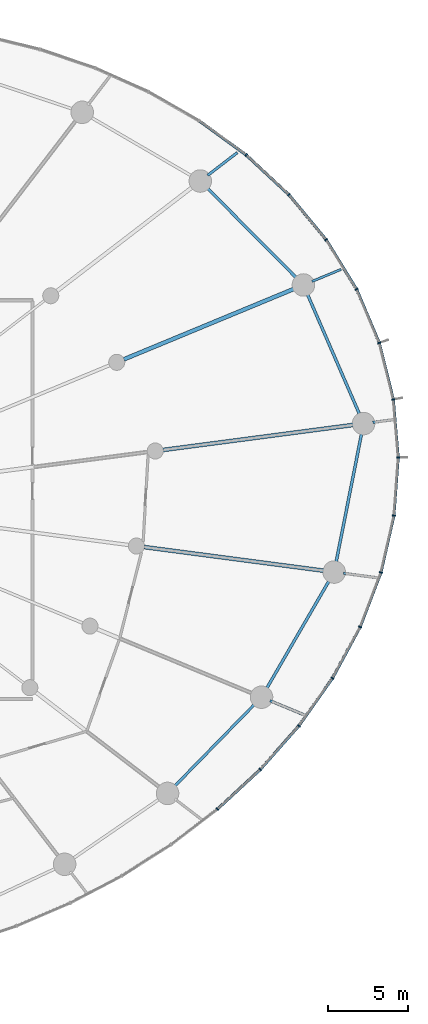
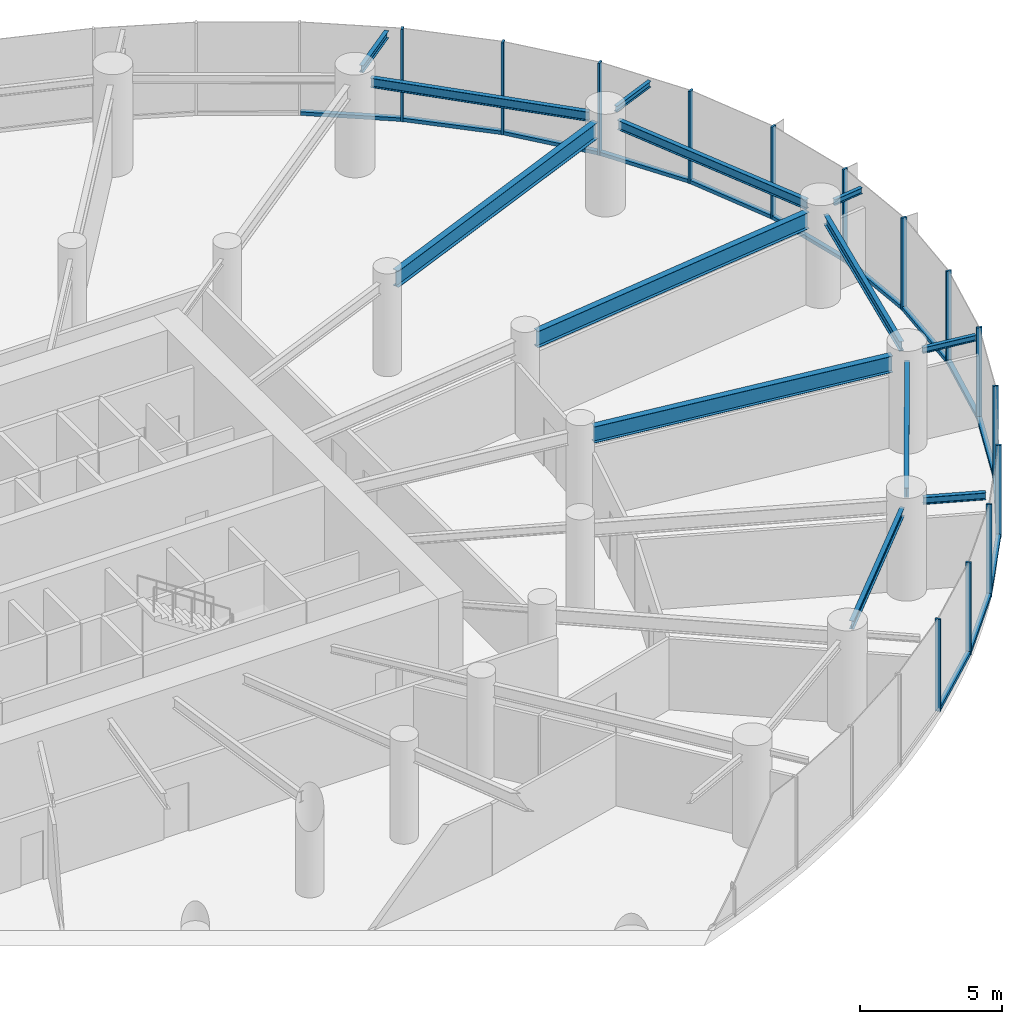
# One storey, part 9 of 19: 28 members, 13 beams, 3 elements without a shape of their own.
"""IFC4 building model written with IfcOpenShell, lengths in metres."""

from ifc_helpers import new_model, si_unit, direction, frame, origin, origin_2d, place, context, subcontext, project, spatial, rectangle, i_section, extrude, source, transform, mapped, material, layer, layer_set, material_profile, profile_set, type_object, element, aggregate, save


model = new_model("IFC4")

# Units and contexts
model_context = context("Model", 3, precision=1e-05, world=origin(), true_north=direction((0.0, 1.0)))
body_context = subcontext(model_context, "Body", "Model", "MODEL_VIEW")
ifc_project = project(units=[si_unit("LENGTHUNIT", "METRE"), si_unit("AREAUNIT", "SQUARE_METRE"), si_unit("VOLUMEUNIT", "CUBIC_METRE"), si_unit("PLANEANGLEUNIT", "RADIAN"), si_unit("MASSUNIT", "GRAM", prefix="KILO")], contexts=[model_context])

# Site, building, storey
site_placement = place(None, origin())
site = spatial("IfcSite", under=ifc_project, at=site_placement, CompositionType="ELEMENT")
building_placement = place(site_placement, origin())
building = spatial("IfcBuilding", under=site, at=building_placement, Name="Spindrift Exchange Tower", CompositionType="ELEMENT")
storey_placement = place(building_placement, frame((0.0, 0.0, 44.60009765625)))
storey = spatial("IfcBuildingStorey", under=building, at=storey_placement, Name="L10", CompositionType="ELEMENT", Elevation=44.60009765625)

# Beams
ifc_material_1 = material(Name="Steel Grade 300", Category="steel")
ifc_material_profile_1 = material_profile(ifc_material_1, i_section(OverallWidth=0.25, OverallDepth=0.699951171875, WebThickness=0.008056640625, FlangeThickness=0.011962890625, at=origin_2d()), Name="700WB115")
ifc_profile_set_1 = profile_set([ifc_material_profile_1], Name="Steel Grade 300")
beam_type_1 = type_object("IfcBeamType", Name="Floor Beam 700WB115 Steel Grade 300", PredefinedType="BEAM", material=ifc_profile_set_1)
shared_shape_1 = source(origin(), body_context, "Body", "SweptSolid", [
    extrude(i_section(OverallWidth=0.25, OverallDepth=0.699951171875, WebThickness=0.008056640625, FlangeThickness=0.011962890625, at=origin_2d()), origin(), (0.0, 0.0, 1.0), 12.00830078125),
])
beam_1_placement = place(storey_placement, frame((75.509765625, 51.09521484375, 3.599853515625), z_axis=(0.991444950947, 0.130525511844, 0.0), x_axis=(-0.130525511844, 0.991444950947, 0.0)))
element("IfcBeam", 1, at=beam_1_placement, inside=storey, type_object=beam_type_1, Name="L10 radial beam R01B", PredefinedType="BEAM", context=body_context, shape_type="MappedRepresentation", body=[
    mapped(shared_shape_1, transform((0.0, 0.0, 0.0), scale=1.0)),
])
shared_shape_2 = source(origin(), body_context, "Body", "SweptSolid", [
    extrude(i_section(OverallWidth=0.25, OverallDepth=0.699951171875, WebThickness=0.008056640625, FlangeThickness=0.011962890625, at=origin_2d()), origin(), (0.0, 0.0, 1.0), 11.505859375),
])
beam_2_placement = place(storey_placement, frame((73.082763671875, 56.73291015625, 3.599853515625), z_axis=(0.923881578419, 0.38267849307, 0.0), x_axis=(-0.38267849307, 0.923881578419, 0.0)))
element("IfcBeam", 2, at=beam_2_placement, inside=storey, type_object=beam_type_1, Name="L10 radial beam R02B", PredefinedType="BEAM", context=body_context, shape_type="MappedRepresentation", body=[
    mapped(shared_shape_2, transform((0.0, 0.0, 0.0), scale=1.0)),
])
shared_shape_3 = source(origin(), body_context, "Body", "SweptSolid", [
    extrude(i_section(OverallWidth=0.25, OverallDepth=0.699951171875, WebThickness=0.008056640625, FlangeThickness=0.011962890625, at=origin_2d()), origin(), (0.0, 0.0, 1.0), 11.34423828125),
])
beam_3_placement = place(storey_placement, frame((74.339111328125, 45.05908203125, 3.599853515625), z_axis=(0.991444770187, -0.130526884848, 0.0), x_axis=(0.130526884848, 0.991444770187, 0.0)))
element("IfcBeam", 3, at=beam_3_placement, inside=storey, type_object=beam_type_1, Name="L10 radial beam R24B", PredefinedType="BEAM", context=body_context, shape_type="MappedRepresentation", body=[
    mapped(shared_shape_3, transform((0.0, 0.0, 0.0), scale=1.0)),
])
ifc_material_profile_2 = material_profile(ifc_material_1, i_section(OverallWidth=0.177978515625, OverallDepth=0.406005859375, WebThickness=0.0078125, FlangeThickness=0.0126953125, FilletRadius=0.013916015625, at=origin_2d()), Name="410UB59.7")
ifc_profile_set_2 = profile_set([ifc_material_profile_2], Name="Steel Grade 300")
beam_type_2 = type_object("IfcBeamType", Name="Edge Beam 410UB59.7 Steel Grade 300", PredefinedType="SPANDREL", material=ifc_profile_set_2)
shared_shape_4 = source(origin(), body_context, "Body", "SweptSolid", [
    extrude(i_section(OverallWidth=0.177978515625, OverallDepth=0.406005859375, WebThickness=0.0078125, FlangeThickness=0.0126953125, FilletRadius=0.013916015625, at=origin_2d()), origin(), (0.0, 0.0, 1.0), 8.23681640625),
])
beam_4_placement = place(storey_placement, frame((87.759521484375, 53.270263671875, 3.746826171875), z_axis=(-0.398186298756, 0.91730456855, 0.0), x_axis=(-0.91730456855, -0.398186298756, 0.0)))
element("IfcBeam", 4, at=beam_4_placement, inside=storey, type_object=beam_type_2, Name="L10 edge beam E01", PredefinedType="SPANDREL", context=body_context, shape_type="MappedRepresentation", body=[
    mapped(shared_shape_4, transform((0.0, 0.0, 0.0), scale=1.0)),
])
shared_shape_5 = source(origin(), body_context, "Body", "SweptSolid", [
    extrude(i_section(OverallWidth=0.177978515625, OverallDepth=0.406005859375, WebThickness=0.0078125, FlangeThickness=0.0126953125, FilletRadius=0.013916015625, at=origin_2d()), origin(), (0.0, 0.0, 1.0), 7.947509765625),
])
beam_5_placement = place(storey_placement, frame((83.840576171875, 61.769775390625, 3.746826171875), z_axis=(-0.704197895271, 0.710003749494, 0.0), x_axis=(-0.710003749494, -0.704197895271, 0.0)))
element("IfcBeam", 5, at=beam_5_placement, inside=storey, type_object=beam_type_2, Name="L10 edge beam E02", PredefinedType="SPANDREL", context=body_context, shape_type="MappedRepresentation", body=[
    mapped(shared_shape_5, transform((0.0, 0.0, 0.0), scale=1.0)),
])
ifc_material_profile_3 = material_profile(ifc_material_1, i_section(OverallWidth=0.172119140625, OverallDepth=0.35888671875, WebThickness=0.008056640625, FlangeThickness=0.012939453125, FilletRadius=0.013916015625, at=origin_2d()), Name="360UB56.7")
ifc_profile_set_3 = profile_set([ifc_material_profile_3], Name="Steel Grade 300")
beam_type_3 = type_object("IfcBeamType", Name="Edge Beam 360UB56.7 Steel Grade 300", PredefinedType="SPANDREL", material=ifc_profile_set_3)
shared_shape_6 = source(origin(), body_context, "Body", "SweptSolid", [
    extrude(i_section(OverallWidth=0.172119140625, OverallDepth=0.35888671875, WebThickness=0.008056640625, FlangeThickness=0.012939453125, FilletRadius=0.013916015625, at=origin_2d()), origin(), (0.0, 0.0, 1.0), 7.2041015625),
])
beam_6_placement = place(storey_placement, frame((76.205810546875, 30.152099609375, 3.7705078125), z_axis=(0.698703626006, 0.715411240481, 0.0), x_axis=(-0.715411240481, 0.698703626006, 0.0)))
element("IfcBeam", 6, at=beam_6_placement, inside=storey, type_object=beam_type_3, Name="L10 edge beam E22", PredefinedType="SPANDREL", context=body_context, shape_type="MappedRepresentation", body=[
    mapped(shared_shape_6, transform((0.0, 0.0, 0.0), scale=1.0)),
])
shared_shape_7 = source(origin(), body_context, "Body", "SweptSolid", [
    extrude(i_section(OverallWidth=0.177978515625, OverallDepth=0.406005859375, WebThickness=0.0078125, FlangeThickness=0.0126953125, FilletRadius=0.013916015625, at=origin_2d()), origin(), (0.0, 0.0, 1.0), 7.837646484375),
])
beam_7_placement = place(storey_placement, frame((81.935791015625, 36.222412109375, 3.746826171875), z_axis=(0.50198145655, 0.864878382942, 0.0), x_axis=(-0.864878382942, 0.50198145655, 0.0)))
element("IfcBeam", 7, at=beam_7_placement, inside=storey, type_object=beam_type_2, Name="L10 edge beam E23", PredefinedType="SPANDREL", context=body_context, shape_type="MappedRepresentation", body=[
    mapped(shared_shape_7, transform((0.0, 0.0, 0.0), scale=1.0)),
])
shared_shape_8 = source(origin(), body_context, "Body", "SweptSolid", [
    extrude(i_section(OverallWidth=0.177978515625, OverallDepth=0.406005859375, WebThickness=0.0078125, FlangeThickness=0.0126953125, FilletRadius=0.013916015625, at=origin_2d()), origin(), (0.0, 0.0, 1.0), 8.2548828125),
])
beam_8_placement = place(storey_placement, frame((86.27392578125, 44.071533203125, 3.746826171875), z_axis=(0.194278723288, 0.9809463684, 0.0), x_axis=(-0.9809463684, 0.194278723288, 0.0)))
element("IfcBeam", 8, at=beam_8_placement, inside=storey, type_object=beam_type_2, Name="L10 edge beam E24", PredefinedType="SPANDREL", context=body_context, shape_type="MappedRepresentation", body=[
    mapped(shared_shape_8, transform((0.0, 0.0, 0.0), scale=1.0)),
])
ifc_material_profile_4 = material_profile(ifc_material_1, i_section(OverallWidth=0.14599609375, OverallDepth=0.251953125, WebThickness=0.006103515625, FlangeThickness=0.008544921875, FilletRadius=0.011962890625, at=origin_2d()), Name="250UB31.4")
ifc_profile_set_4 = profile_set([ifc_material_profile_4], Name="Steel Grade 300")
beam_type_4 = type_object("IfcBeamType", Name="Cantilever Beam 250UB31.4 Steel Grade 300", PredefinedType="BEAM", material=ifc_profile_set_4)
shared_shape_9 = source(origin(), body_context, "Body", "SweptSolid", [
    extrude(i_section(OverallWidth=0.14599609375, OverallDepth=0.251953125, WebThickness=0.006103515625, FlangeThickness=0.008544921875, FilletRadius=0.011962890625, at=origin_2d()), origin(), (0.0, 0.0, 1.0), 1.224365234375),
])
beam_9_placement = place(storey_placement, frame((88.5654296875, 52.81396484375, 3.823974609375), z_axis=(0.991459724463, 0.130413246138, 0.0), x_axis=(-0.130413246138, 0.991459724463, 0.0)))
element("IfcBeam", 9, at=beam_9_placement, inside=storey, type_object=beam_type_4, Name="L10 cantilever beam R01T", PredefinedType="BEAM", context=body_context, shape_type="MappedRepresentation", body=[
    mapped(shared_shape_9, transform((0.0, 0.0, 0.0), scale=1.0)),
])
shared_shape_10 = source(origin(), body_context, "Body", "SweptSolid", [
    extrude(i_section(OverallWidth=0.14599609375, OverallDepth=0.251953125, WebThickness=0.006103515625, FlangeThickness=0.008544921875, FilletRadius=0.011962890625, at=origin_2d()), origin(), (0.0, 0.0, 1.0), 1.96728515625),
])
beam_10_placement = place(storey_placement, frame((84.78466796875, 61.579833984375, 3.823974609375), z_axis=(0.923871633856, 0.382702500848, 0.0), x_axis=(-0.382702500848, 0.923871633856, 0.0)))
element("IfcBeam", 10, at=beam_10_placement, inside=storey, type_object=beam_type_4, Name="L10 cantilever beam R02T", PredefinedType="BEAM", context=body_context, shape_type="MappedRepresentation", body=[
    mapped(shared_shape_10, transform((0.0, 0.0, 0.0), scale=1.0)),
])
ifc_material_profile_5 = material_profile(ifc_material_1, i_section(OverallWidth=0.1650390625, OverallDepth=0.303955078125, WebThickness=0.006103515625, FlangeThickness=0.01025390625, FilletRadius=0.011474609375, at=origin_2d()), Name="310UB40.4")
ifc_profile_set_5 = profile_set([ifc_material_profile_5], Name="Steel Grade 300")
beam_type_5 = type_object("IfcBeamType", Name="Cantilever Beam 310UB40.4 Steel Grade 300", PredefinedType="BEAM", material=ifc_profile_set_5)
shared_shape_11 = source(origin(), body_context, "Body", "SweptSolid", [
    extrude(i_section(OverallWidth=0.1650390625, OverallDepth=0.303955078125, WebThickness=0.006103515625, FlangeThickness=0.01025390625, FilletRadius=0.011474609375, at=origin_2d()), origin(), (0.0, 0.0, 1.0), 2.33251953125),
])
beam_11_placement = place(storey_placement, frame((78.295654296875, 68.177490234375, 3.7978515625), z_axis=(0.793370454613, 0.608739124542, 0.0), x_axis=(-0.608739124542, 0.793370454613, 0.0)))
element("IfcBeam", 11, at=beam_11_placement, inside=storey, type_object=beam_type_5, Name="L10 cantilever beam R03T", PredefinedType="BEAM", context=body_context, shape_type="MappedRepresentation", body=[
    mapped(shared_shape_11, transform((0.0, 0.0, 0.0), scale=1.0)),
])
shared_shape_12 = source(origin(), body_context, "Body", "SweptSolid", [
    extrude(i_section(OverallWidth=0.1650390625, OverallDepth=0.303955078125, WebThickness=0.006103515625, FlangeThickness=0.01025390625, FilletRadius=0.011474609375, at=origin_2d()), origin(), (0.0, 0.0, 1.0), 2.22412109375),
])
beam_12_placement = place(storey_placement, frame((82.180419921875, 35.498779296875, 3.7978515625), z_axis=(0.923896434598, -0.38264262457, 0.0), x_axis=(0.38264262457, 0.923896434598, 0.0)))
element("IfcBeam", 12, at=beam_12_placement, inside=storey, type_object=beam_type_5, Name="L10 cantilever beam R23T", PredefinedType="BEAM", context=body_context, shape_type="MappedRepresentation", body=[
    mapped(shared_shape_12, transform((0.0, 0.0, 0.0), scale=1.0)),
])
shared_shape_13 = source(origin(), body_context, "Body", "SweptSolid", [
    extrude(i_section(OverallWidth=0.14599609375, OverallDepth=0.251953125, WebThickness=0.006103515625, FlangeThickness=0.008544921875, FilletRadius=0.011962890625, at=origin_2d()), origin(), (0.0, 0.0, 1.0), 2.016845703125),
])
beam_13_placement = place(storey_placement, frame((86.736083984375, 43.427001953125, 3.823974609375), z_axis=(0.991448526078, -0.130498353005, 0.0), x_axis=(0.130498353005, 0.991448526078, 0.0)))
element("IfcBeam", 13, at=beam_13_placement, inside=storey, type_object=beam_type_4, Name="L10 cantilever beam R24T", PredefinedType="BEAM", context=body_context, shape_type="MappedRepresentation", body=[
    mapped(shared_shape_13, transform((0.0, 0.0, 0.0), scale=1.0)),
])

# Curtain wall, members
ifc_material_2 = material(Name="Fritted laminated glass with bronze frame", Category="glass")
ifc_layer = layer(ifc_material_2, 0.199951171875)
ifc_layer_set = layer_set([ifc_layer], Name="ZONE 1 BRONZE FRITTED WALL")
curtain_wall_type = type_object("IfcCurtainWallType", Name="ZONE 1 BRONZE FRITTED WALL", PredefinedType="NOTDEFINED", material=ifc_layer_set)
curtain_wall_1_placement = place(storey_placement, origin())
curtain_wall_1 = element("IfcCurtainWall", 14, at=curtain_wall_1_placement, inside=storey, type_object=curtain_wall_type, Name="L10 Zone 1 Bronze Fritted Wall run 1", PredefinedType="NOTDEFINED")
ifc_material_3 = material(Name="Bronze anodised aluminium", Category="aluminium")
ifc_material_profile_6 = material_profile(ifc_material_3, rectangle(XDim=0.080078125, YDim=0.199951171875, at=origin_2d()), Name="ZONE 1 BRONZE FRITTED WALL MULLION 80X200")
ifc_profile_set_6 = profile_set([ifc_material_profile_6], Name="Bronze anodised aluminium")
member_type_1 = type_object("IfcMemberType", Name="ZONE 1 BRONZE FRITTED WALL MULLION 80X200", PredefinedType="MULLION", material=ifc_profile_set_6)
shared_shape_14 = source(origin(), body_context, "Body", "SweptSolid", [
    extrude(rectangle(XDim=0.080078125, YDim=0.199951171875, at=origin_2d()), origin(), (0.0, 0.0, 1.0), 3.949951171875),
])
member_1_placement = place(storey_placement, frame((89.839111328125, 54.239501953125, 0.0), z_axis=(0.0, 0.0, 1.0), x_axis=(-0.162695137621, 0.986676386762, 0.0)))
member_1 = element("IfcMember", 15, at=member_1_placement, type_object=member_type_1, Name="L10 mullion CW-1.1", PredefinedType="MULLION", context=body_context, shape_type="MappedRepresentation", body=[
    mapped(shared_shape_14, transform((0.0, 0.0, 0.0), scale=1.0)),
])
member_2_placement = place(storey_placement, frame((88.96630859375, 57.757080078125, 0.0), z_axis=(0.0, 0.0, 1.0), x_axis=(-0.316171208806, 0.948702148581, 0.0)))
member_2 = element("IfcMember", 16, at=member_2_placement, type_object=member_type_1, Name="L10 mullion CW-1.2", PredefinedType="MULLION", context=body_context, shape_type="MappedRepresentation", body=[
    mapped(shared_shape_14, transform((0.0, 0.0, 0.0), scale=1.0)),
])
member_3_placement = place(storey_placement, frame((87.55419921875, 61.095458984375, 0.0), z_axis=(0.0, 0.0, 1.0), x_axis=(-0.457742399922, 0.889084863955, 0.0)))
member_3 = element("IfcMember", 17, at=member_3_placement, type_object=member_type_1, Name="L10 mullion CW-1.3", PredefinedType="MULLION", context=body_context, shape_type="MappedRepresentation", body=[
    mapped(shared_shape_14, transform((0.0, 0.0, 0.0), scale=1.0)),
])
member_4_placement = place(storey_placement, frame((85.6572265625, 64.1845703125, 0.0), z_axis=(0.0, 0.0, 1.0), x_axis=(-0.581951535292, 0.813223469024, 0.0)))
member_4 = element("IfcMember", 18, at=member_4_placement, type_object=member_type_1, Name="L10 mullion CW-1.4", PredefinedType="MULLION", context=body_context, shape_type="MappedRepresentation", body=[
    mapped(shared_shape_14, transform((0.0, 0.0, 0.0), scale=1.0)),
])
member_5_placement = place(storey_placement, frame((83.34521484375, 66.976806640625, 0.0), z_axis=(0.0, 0.0, 1.0), x_axis=(-0.68648905038, 0.727140140351, 0.0)))
member_5 = element("IfcMember", 19, at=member_5_placement, type_object=member_type_1, Name="L10 mullion CW-1.5", PredefinedType="MULLION", context=body_context, shape_type="MappedRepresentation", body=[
    mapped(shared_shape_14, transform((0.0, 0.0, 0.0), scale=1.0)),
])
member_6_placement = place(storey_placement, frame((80.68994140625, 69.446044921875, 0.0), z_axis=(0.0, 0.0, 1.0), x_axis=(-0.771625539018, 0.636077061004, 0.0)))
member_6 = element("IfcMember", 20, at=member_6_placement, type_object=member_type_1, Name="L10 mullion CW-1.6", PredefinedType="MULLION", context=body_context, shape_type="MappedRepresentation", body=[
    mapped(shared_shape_14, transform((0.0, 0.0, 0.0), scale=1.0)),
])

curtain_wall_2_placement = place(storey_placement, origin())
curtain_wall_2 = element("IfcCurtainWall", 21, at=curtain_wall_2_placement, inside=storey, type_object=curtain_wall_type, Name="L10 Zone 1 Bronze Fritted Wall run 9", PredefinedType="NOTDEFINED")
member_7_placement = place(storey_placement, frame((78.90283203125, 28.756591796875, 0.0), z_axis=(0.0, 0.0, 1.0), x_axis=(0.764984647276, 0.644048514813, 0.0)))
member_7 = element("IfcMember", 22, at=member_7_placement, type_object=member_type_1, Name="L10 mullion CW-1.52", PredefinedType="MULLION", context=body_context, shape_type="MappedRepresentation", body=[
    mapped(shared_shape_14, transform((0.0, 0.0, 0.0), scale=1.0)),
])
member_8_placement = place(storey_placement, frame((81.565185546875, 31.219482421875, 0.0), z_axis=(0.0, 0.0, 1.0), x_axis=(0.699004651499, 0.715117121304, 0.0)))
member_8 = element("IfcMember", 23, at=member_8_placement, type_object=member_type_1, Name="L10 mullion CW-1.53", PredefinedType="MULLION", context=body_context, shape_type="MappedRepresentation", body=[
    mapped(shared_shape_14, transform((0.0, 0.0, 0.0), scale=1.0)),
])
member_9_placement = place(storey_placement, frame((83.966552734375, 33.93701171875, 0.0), z_axis=(0.0, 0.0, 1.0), x_axis=(0.620163361593, 0.784472692283, 0.0)))
member_9 = element("IfcMember", 24, at=member_9_placement, type_object=member_type_1, Name="L10 mullion CW-1.54", PredefinedType="MULLION", context=body_context, shape_type="MappedRepresentation", body=[
    mapped(shared_shape_14, transform((0.0, 0.0, 0.0), scale=1.0)),
])

curtain_wall_3_placement = place(storey_placement, origin())
curtain_wall_3 = element("IfcCurtainWall", 25, at=curtain_wall_3_placement, inside=storey, type_object=curtain_wall_type, Name="L10 Zone 1 Bronze Fritted Wall run 10", PredefinedType="NOTDEFINED")
member_10_placement = place(storey_placement, frame((86.056396484375, 36.900390625, 0.0), z_axis=(0.0, 0.0, 1.0), x_axis=(0.52656088811, 0.850137418958, 0.0)))
member_10 = element("IfcMember", 26, at=member_10_placement, type_object=member_type_1, Name="L10 mullion CW-1.55", PredefinedType="MULLION", context=body_context, shape_type="MappedRepresentation", body=[
    mapped(shared_shape_14, transform((0.0, 0.0, 0.0), scale=1.0)),
])
member_11_placement = place(storey_placement, frame((87.7783203125, 40.09130859375, 0.0), z_axis=(0.0, 0.0, 1.0), x_axis=(0.416682373115, 0.909052143683, 0.0)))
member_11 = element("IfcMember", 27, at=member_11_placement, type_object=member_type_1, Name="L10 mullion CW-1.56", PredefinedType="MULLION", context=body_context, shape_type="MappedRepresentation", body=[
    mapped(shared_shape_14, transform((0.0, 0.0, 0.0), scale=1.0)),
])
member_12_placement = place(storey_placement, frame((89.071533203125, 43.478271484375, 0.0), z_axis=(0.0, 0.0, 1.0), x_axis=(0.290051537148, 0.957011026999, 0.0)))
member_12 = element("IfcMember", 28, at=member_12_placement, type_object=member_type_1, Name="L10 mullion CW-1.57", PredefinedType="MULLION", context=body_context, shape_type="MappedRepresentation", body=[
    mapped(shared_shape_14, transform((0.0, 0.0, 0.0), scale=1.0)),
])
member_13_placement = place(storey_placement, frame((89.876220703125, 47.012939453125, 0.0), z_axis=(0.0, 0.0, 1.0), x_axis=(0.148063772514, 0.988977815357, 0.0)))
member_13 = element("IfcMember", 29, at=member_13_placement, type_object=member_type_1, Name="L10 mullion CW-1.58", PredefinedType="MULLION", context=body_context, shape_type="MappedRepresentation", body=[
    mapped(shared_shape_14, transform((0.0, 0.0, 0.0), scale=1.0)),
])
member_14_placement = place(storey_placement, frame((90.14208984375, 50.627685546875, 0.0), z_axis=(0.0, 0.0, 1.0), x_axis=(-0.005149513533, 0.999986741167, 0.0)))
member_14 = element("IfcMember", 30, at=member_14_placement, type_object=member_type_1, Name="L10 mullion CW-1.59", PredefinedType="MULLION", context=body_context, shape_type="MappedRepresentation", body=[
    mapped(shared_shape_14, transform((0.0, 0.0, 0.0), scale=1.0)),
])
ifc_material_profile_7 = material_profile(ifc_material_3, rectangle(XDim=0.179931640625, YDim=0.14990234375, at=origin_2d()), Name="ZONE 1 BRONZE FRITTED WALL TRANSOM 180X150")
ifc_profile_set_7 = profile_set([ifc_material_profile_7], Name="Bronze anodised aluminium")
member_type_2 = type_object("IfcMemberType", Name="ZONE 1 BRONZE FRITTED WALL TRANSOM 180X150", PredefinedType="USERDEFINED", material=ifc_profile_set_7)
shared_shape_15 = source(origin(), body_context, "Body", "SweptSolid", [
    extrude(rectangle(XDim=0.179931640625, YDim=0.14990234375, at=origin_2d()), origin(), (0.0, 0.0, 1.0), 3.54443359375),
])
member_15_placement = place(storey_placement, frame((90.138671875, 50.66748046875, 0.074951171875), z_axis=(-0.083621213942, 0.996497612932, 0.0), x_axis=(-0.996497612932, -0.083621213942, 0.0)))
member_15 = element("IfcMember", 31, at=member_15_placement, type_object=member_type_2, Name="L10 transom CW-1.59", ObjectType="TRANSOM", PredefinedType="USERDEFINED", context=body_context, shape_type="MappedRepresentation", body=[
    mapped(shared_shape_15, transform((0.0, 0.0, 0.0), scale=1.0)),
])

# Member
shared_shape_16 = source(origin(), body_context, "Body", "SweptSolid", [
    extrude(rectangle(XDim=0.179931640625, YDim=0.14990234375, at=origin_2d()), origin(), (0.0, 0.0, 1.0), 3.544921875),
])
member_16_placement = place(storey_placement, frame((88.950927734375, 57.7939453125, 0.074951171875), z_axis=(-0.389675938616, 0.920952041565, 0.0), x_axis=(-0.920952041565, -0.389675938616, 0.0)))
member_16 = element("IfcMember", 32, at=member_16_placement, type_object=member_type_2, Name="L10 transom CW-1.2", ObjectType="TRANSOM", PredefinedType="USERDEFINED", context=body_context, shape_type="MappedRepresentation", body=[
    mapped(shared_shape_16, transform((0.0, 0.0, 0.0), scale=1.0)),
])

member_17_placement = place(storey_placement, frame((89.08056640625, 43.517333984375, 0.074951171875), z_axis=(0.221966384297, 0.975054318611, 0.0), x_axis=(-0.975054318611, 0.221966384297, 0.0)))
member_17 = element("IfcMember", 33, at=member_17_placement, type_object=member_type_2, Name="L10 transom CW-1.57", ObjectType="TRANSOM", PredefinedType="USERDEFINED", context=body_context, shape_type="MappedRepresentation", body=[
    mapped(shared_shape_16, transform((0.0, 0.0, 0.0), scale=1.0)),
])

shared_shape_17 = source(origin(), body_context, "Body", "SweptSolid", [
    extrude(rectangle(XDim=0.179931640625, YDim=0.14990234375, at=origin_2d()), origin(), (0.0, 0.0, 1.0), 3.54638671875),
])
member_18_placement = place(storey_placement, frame((80.657470703125, 69.469482421875, 0.074951171875), z_axis=(-0.808161129115, 0.588961449832, 0.0), x_axis=(-0.588961449832, -0.808161129115, 0.0)))
member_18 = element("IfcMember", 34, at=member_18_placement, type_object=member_type_2, Name="L10 transom CW-1.6", ObjectType="TRANSOM", PredefinedType="USERDEFINED", context=body_context, shape_type="MappedRepresentation", body=[
    mapped(shared_shape_17, transform((0.0, 0.0, 0.0), scale=1.0)),
])

member_19_placement = place(storey_placement, frame((83.989501953125, 33.9697265625, 0.074951171875), z_axis=(0.576337191842, 0.817211992876, 0.0), x_axis=(-0.817211992876, 0.576337191842, 0.0)))
member_19 = element("IfcMember", 35, at=member_19_placement, type_object=member_type_2, Name="L10 transom CW-1.54", ObjectType="TRANSOM", PredefinedType="USERDEFINED", context=body_context, shape_type="MappedRepresentation", body=[
    mapped(shared_shape_17, transform((0.0, 0.0, 0.0), scale=1.0)),
])

shared_shape_18 = source(origin(), body_context, "Body", "SweptSolid", [
    extrude(rectangle(XDim=0.179931640625, YDim=0.14990234375, at=origin_2d()), origin(), (0.0, 0.0, 1.0), 3.545166015625),
])
member_20_placement = place(storey_placement, frame((87.533203125, 61.12939453125, 0.074951171875), z_axis=(-0.523259523739, 0.852173380725, 0.0), x_axis=(-0.852173380725, -0.523259523739, 0.0)))
member_20 = element("IfcMember", 36, at=member_20_placement, type_object=member_type_2, Name="L10 transom CW-1.3", ObjectType="TRANSOM", PredefinedType="USERDEFINED", context=body_context, shape_type="MappedRepresentation", body=[
    mapped(shared_shape_18, transform((0.0, 0.0, 0.0), scale=1.0)),
])

shared_shape_19 = source(origin(), body_context, "Body", "SweptSolid", [
    extrude(rectangle(XDim=0.179931640625, YDim=0.14990234375, at=origin_2d()), origin(), (0.0, 0.0, 1.0), 3.546630859375),
])
member_21_placement = place(storey_placement, frame((78.93212890625, 28.783935546875, 0.074951171875), z_axis=(0.734138041387, 0.679000247561, 0.0), x_axis=(-0.679000247561, 0.734138041387, 0.0)))
member_21 = element("IfcMember", 37, at=member_21_placement, type_object=member_type_2, Name="L10 transom CW-1.52", ObjectType="TRANSOM", PredefinedType="USERDEFINED", context=body_context, shape_type="MappedRepresentation", body=[
    mapped(shared_shape_19, transform((0.0, 0.0, 0.0), scale=1.0)),
])

member_22_placement = place(storey_placement, frame((81.591796875, 31.249267578125, 0.074951171875), z_axis=(0.662079135973, 0.749433931517, 0.0), x_axis=(-0.749433931517, 0.662079135973, 0.0)))
member_22 = element("IfcMember", 38, at=member_22_placement, type_object=member_type_2, Name="L10 transom CW-1.53", ObjectType="TRANSOM", PredefinedType="USERDEFINED", context=body_context, shape_type="MappedRepresentation", body=[
    mapped(shared_shape_19, transform((0.0, 0.0, 0.0), scale=1.0)),
])

aggregate(curtain_wall_2, [member_7, member_21, member_8, member_22, member_9, member_19])

shared_shape_20 = source(origin(), body_context, "Body", "SweptSolid", [
    extrude(rectangle(XDim=0.179931640625, YDim=0.14990234375, at=origin_2d()), origin(), (0.0, 0.0, 1.0), 3.5458984375),
])
member_23_placement = place(storey_placement, frame((83.31591796875, 67.004150390625, 0.074951171875), z_axis=(-0.732322473593, 0.680957997728, 0.0), x_axis=(-0.680957997728, -0.732322473593, 0.0)))
member_23 = element("IfcMember", 39, at=member_23_placement, type_object=member_type_2, Name="L10 transom CW-1.5", ObjectType="TRANSOM", PredefinedType="USERDEFINED", context=body_context, shape_type="MappedRepresentation", body=[
    mapped(shared_shape_20, transform((0.0, 0.0, 0.0), scale=1.0)),
])

member_24_placement = place(storey_placement, frame((86.075439453125, 36.935791015625, 0.074951171875), z_axis=(0.474949528852, 0.88001303686, 0.0), x_axis=(-0.88001303686, 0.474949528852, 0.0)))
member_24 = element("IfcMember", 40, at=member_24_placement, type_object=member_type_2, Name="L10 transom CW-1.55", ObjectType="TRANSOM", PredefinedType="USERDEFINED", context=body_context, shape_type="MappedRepresentation", body=[
    mapped(shared_shape_20, transform((0.0, 0.0, 0.0), scale=1.0)),
])

shared_shape_21 = source(origin(), body_context, "Body", "SweptSolid", [
    extrude(rectangle(XDim=0.179931640625, YDim=0.14990234375, at=origin_2d()), origin(), (0.0, 0.0, 1.0), 3.544189453125),
])
member_25_placement = place(storey_placement, frame((89.829345703125, 54.2783203125, 0.074951171875), z_axis=(-0.24075231521, 0.970586586926, 0.0), x_axis=(-0.970586586926, -0.24075231521, 0.0)))
member_25 = element("IfcMember", 41, at=member_25_placement, type_object=member_type_2, Name="L10 transom CW-1.1", ObjectType="TRANSOM", PredefinedType="USERDEFINED", context=body_context, shape_type="MappedRepresentation", body=[
    mapped(shared_shape_21, transform((0.0, 0.0, 0.0), scale=1.0)),
])

shared_shape_22 = source(origin(), body_context, "Body", "SweptSolid", [
    extrude(rectangle(XDim=0.179931640625, YDim=0.14990234375, at=origin_2d()), origin(), (0.0, 0.0, 1.0), 3.544677734375),
])
member_26_placement = place(storey_placement, frame((89.879150390625, 47.052734375, 0.074951171875), z_axis=(0.073351591362, 0.997306143591, 0.0), x_axis=(-0.997306143591, 0.073351591362, 0.0)))
member_26 = element("IfcMember", 42, at=member_26_placement, type_object=member_type_2, Name="L10 transom CW-1.58", ObjectType="TRANSOM", PredefinedType="USERDEFINED", context=body_context, shape_type="MappedRepresentation", body=[
    mapped(shared_shape_22, transform((0.0, 0.0, 0.0), scale=1.0)),
])

shared_shape_23 = source(origin(), body_context, "Body", "SweptSolid", [
    extrude(rectangle(XDim=0.179931640625, YDim=0.14990234375, at=origin_2d()), origin(), (0.0, 0.0, 1.0), 3.54541015625),
])
member_27_placement = place(storey_placement, frame((85.6318359375, 64.21533203125, 0.074951171875), z_axis=(-0.63779035571, 0.770210011727, 0.0), x_axis=(-0.770210011727, -0.63779035571, 0.0)))
member_27 = element("IfcMember", 43, at=member_27_placement, type_object=member_type_2, Name="L10 transom CW-1.4", ObjectType="TRANSOM", PredefinedType="USERDEFINED", context=body_context, shape_type="MappedRepresentation", body=[
    mapped(shared_shape_23, transform((0.0, 0.0, 0.0), scale=1.0)),
])

aggregate(curtain_wall_1, [member_1, member_25, member_2, member_16, member_3, member_20, member_4, member_27, member_5, member_23, member_6, member_18])

member_28_placement = place(storey_placement, frame((87.792724609375, 40.128662109375, 0.074951171875), z_axis=(0.356693916735, 0.934221306631, 0.0), x_axis=(-0.934221306631, 0.356693916735, 0.0)))
member_28 = element("IfcMember", 44, at=member_28_placement, type_object=member_type_2, Name="L10 transom CW-1.56", ObjectType="TRANSOM", PredefinedType="USERDEFINED", context=body_context, shape_type="MappedRepresentation", body=[
    mapped(shared_shape_23, transform((0.0, 0.0, 0.0), scale=1.0)),
])

aggregate(curtain_wall_3, [member_10, member_24, member_11, member_28, member_12, member_17, member_13, member_26, member_14, member_15])

save(model, "model.ifc")
